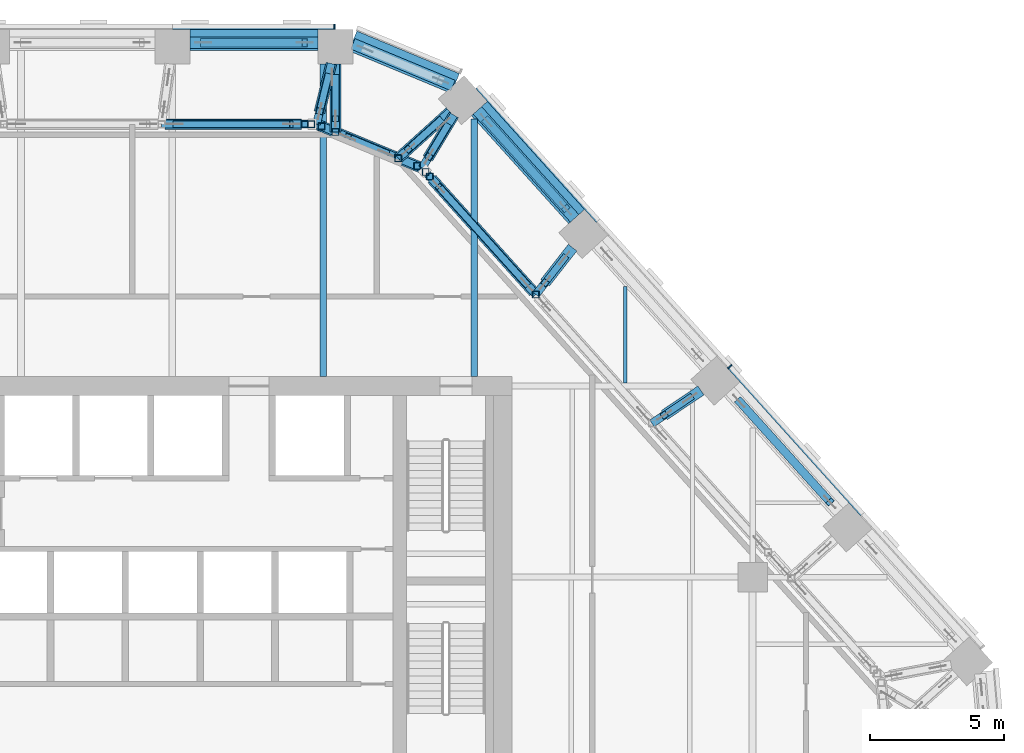
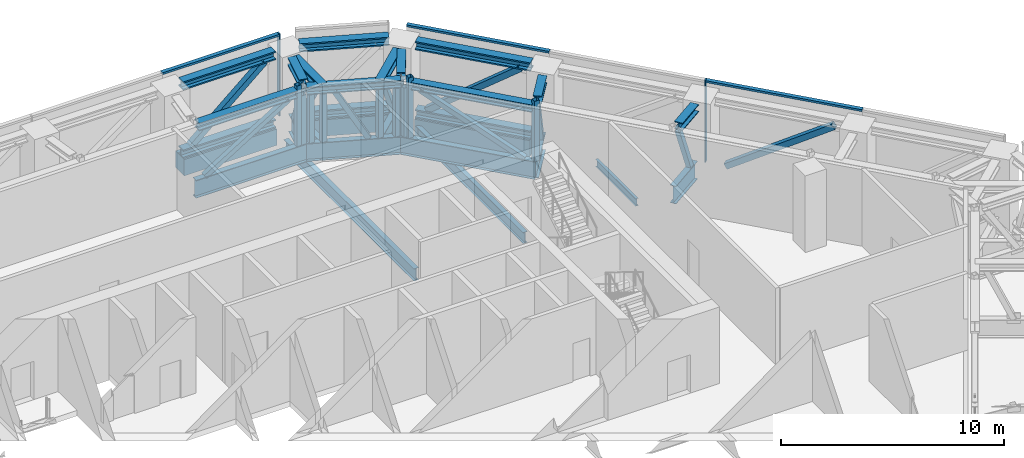
# One storey, part 13 of 26: 50 members, 6 beams, 2 elements without a shape of their own.
"""IFC4 building model written with IfcOpenShell, lengths in metres."""

from ifc_helpers import new_model, si_unit, direction, frame, origin, origin_2d, place, context, subcontext, project, spatial, rectangle, hollow_rectangle, i_section, extrude, material, layer, layer_set, material_profile, profile_set, type_object, element, aggregate, save


model = new_model("IFC4")

# Units and contexts
model_context = context("Model", 3, precision=1e-05, world=origin(), true_north=direction((0.0, 1.0)))
body_context = subcontext(model_context, "Body", "Model", "MODEL_VIEW")
ifc_project = project(units=[si_unit("LENGTHUNIT", "METRE"), si_unit("AREAUNIT", "SQUARE_METRE"), si_unit("VOLUMEUNIT", "CUBIC_METRE"), si_unit("PLANEANGLEUNIT", "RADIAN"), si_unit("MASSUNIT", "GRAM", prefix="KILO")], contexts=[model_context])

# Site, building, storey
site_placement = place(None, origin())
site = spatial("IfcSite", under=ifc_project, at=site_placement, CompositionType="ELEMENT")
building_placement = place(site_placement, origin())
building = spatial("IfcBuilding", under=site, at=building_placement, Name="Isthmus Gate Tower", CompositionType="ELEMENT")
storey_placement = place(building_placement, frame((0.0, 0.0, 207.300048828125)))
storey = spatial("IfcBuildingStorey", under=building, at=storey_placement, Name="L52", CompositionType="ELEMENT", Elevation=207.300048828125)

# Members
ifc_material_1 = material(Name="Structural steel ASTM A913 Gr 65", Category="steel")
ifc_material_profile_1 = material_profile(ifc_material_1, i_section(OverallWidth=0.42236328125, OverallDepth=0.46337890625, WebThickness=0.04443359375, FlangeThickness=0.072998046875, at=origin_2d()), Name="W14X398")
ifc_profile_set_1 = profile_set([ifc_material_profile_1], Name="Structural steel ASTM A913 Gr 65")
member_type_1 = type_object("IfcMemberType", Name="BELT TRUSS CHORD W14X398", PredefinedType="CHORD", material=ifc_profile_set_1)
for number, where, z_axis, x_axis, name in (
    (1, (9.03857421875, 27.45849609375, 0.231689453125), (0.923361088964, -0.383932675591, 0.0), (0.383932675591, 0.923361088964, 0.0), "str-belt00-L52-01"),
    (2, (9.03857421875, 27.45849609375, 3.96826171875), (0.923361088964, -0.383932675591, 0.0), (0.383932675591, 0.923361088964, 0.0), "str-belt00-L52-02"),
):
    element("IfcMember", number, at=place(storey_placement, frame(where, z_axis=z_axis, x_axis=x_axis)), inside=storey, type_object=member_type_1, Name=name, PredefinedType="CHORD", context=body_context, shape_type="SweptSolid", body=[
        extrude(i_section(OverallWidth=0.42236328125, OverallDepth=0.46337890625, WebThickness=0.04443359375, FlangeThickness=0.072998046875, at=origin_2d()), origin(), (0.0, 0.0, 1.0), 4.0634765625),
    ])
for number, where, z_axis, x_axis, name in (
    (3, (13.7001953125, 24.96826171875, 0.231689453125), (0.669118419563, -0.743155798337, 0.0), (0.743155798337, 0.669118419563, 0.0), "str-belt01-L52-01"),
    (4, (13.7001953125, 24.96826171875, 3.96826171875), (0.669118419563, -0.743155798337, 0.0), (0.743155798337, 0.669118419563, 0.0), "str-belt01-L52-02"),
):
    element("IfcMember", number, at=place(storey_placement, frame(where, z_axis=z_axis, x_axis=x_axis)), inside=storey, type_object=member_type_1, Name=name, PredefinedType="CHORD", context=body_context, shape_type="SweptSolid", body=[
        extrude(i_section(OverallWidth=0.42236328125, OverallDepth=0.46337890625, WebThickness=0.04443359375, FlangeThickness=0.072998046875, at=origin_2d()), origin(), (0.0, 0.0, 1.0), 5.44091796875),
    ])
for number, where, z_axis, x_axis, name in (
    (5, (2.9384765625, 27.5, 0.231689453125), (1.0, 0.0, 0.0), (0.0, 1.0, 0.0), "str-belt29-L52-01"),
    (6, (2.9384765625, 27.5, 3.96826171875), (1.0, 0.0, 0.0), (0.0, 1.0, 0.0), "str-belt29-L52-02"),
):
    element("IfcMember", number, at=place(storey_placement, frame(where, z_axis=z_axis, x_axis=x_axis)), inside=storey, type_object=member_type_1, Name=name, PredefinedType="CHORD", context=body_context, shape_type="SweptSolid", body=[
        extrude(i_section(OverallWidth=0.42236328125, OverallDepth=0.46337890625, WebThickness=0.04443359375, FlangeThickness=0.072998046875, at=origin_2d()), origin(), (0.0, 0.0, 1.0), 4.800048828125),
    ])

# Curtain wall, member
ifc_material_2 = material(Name="Aluminium, pale champagne anodised", Category="aluminium")
ifc_layer = layer(ifc_material_2, 0.199951171875)
ifc_layer_set = layer_set([ifc_layer], Name="CW-2 LOUVRE CURTAIN WALL 200 DEEP")
curtain_wall_type = type_object("IfcCurtainWallType", Name="CW-2 LOUVRE CURTAIN WALL 200 DEEP", PredefinedType="NOTDEFINED", material=ifc_layer_set)
curtain_wall_1_placement = place(storey_placement, origin())
curtain_wall_1 = element("IfcCurtainWall", 7, at=curtain_wall_1_placement, inside=storey, type_object=curtain_wall_type, Name="CW-2 N L52", PredefinedType="NOTDEFINED")
ifc_material_3 = material(Name="Aluminium, pale champagne anodised", Category="aluminium")
ifc_material_profile_2 = material_profile(ifc_material_3, rectangle(XDim=0.06005859375, YDim=0.199951171875, at=origin_2d()), Name="60x200")
ifc_profile_set_2 = profile_set([ifc_material_profile_2], Name="Aluminium, pale champagne anodised")
member_type_2 = type_object("IfcMemberType", Name="CW-2 MULLION 60 X 200", PredefinedType="MULLION", material=ifc_profile_set_2)
member_1_placement = place(storey_placement, frame((8.358642578125, 28.10009765625, 0.0), z_axis=(0.0, 0.0, 1.0), x_axis=(-1.0, 0.0, 0.0)))
member_1 = element("IfcMember", 8, at=member_1_placement, type_object=member_type_2, Name="CW-2 mullion", PredefinedType="MULLION", context=body_context, shape_type="SweptSolid", body=[
    extrude(rectangle(XDim=0.06005859375, YDim=0.199951171875, at=origin_2d()), origin(), (0.0, 0.0, 1.0), 4.5),
])

curtain_wall_2_placement = place(storey_placement, origin())
curtain_wall_2 = element("IfcCurtainWall", 9, at=curtain_wall_2_placement, inside=storey, type_object=curtain_wall_type, Name="CW-2 NE L52", PredefinedType="NOTDEFINED")
member_2_placement = place(storey_placement, frame((23.14697265625, 15.373046875, 0.0), z_axis=(0.0, 0.0, 1.0), x_axis=(-0.669130606359, 0.743144825477, 0.0)))
member_2 = element("IfcMember", 10, at=member_2_placement, type_object=member_type_2, Name="CW-2 mullion", PredefinedType="MULLION", context=body_context, shape_type="SweptSolid", body=[
    extrude(rectangle(XDim=0.06005859375, YDim=0.199951171875, at=origin_2d()), origin(), (0.0, 0.0, 1.0), 4.5),
])

# Member
ifc_material_4 = material(Name="Aluminium, pale champagne anodised", Category="aluminium")
ifc_material_profile_3 = material_profile(ifc_material_4, rectangle(XDim=0.199951171875, YDim=0.110107421875, at=origin_2d()), Name="200x110")
ifc_profile_set_3 = profile_set([ifc_material_profile_3], Name="Aluminium, pale champagne anodised")
member_type_3 = type_object("IfcMemberType", Name="CW-2 TRANSOM 200 X 110", PredefinedType="USERDEFINED", material=ifc_profile_set_3)
member_3_placement = place(storey_placement, frame((8.32861328125, 28.10009765625, 4.445068359375), z_axis=(-1.0, 0.0, 0.0), x_axis=(0.0, -1.0, 0.0)))
member_3 = element("IfcMember", 11, at=member_3_placement, type_object=member_type_3, Name="CW-2 transom", ObjectType="TRANSOM", PredefinedType="USERDEFINED", context=body_context, shape_type="SweptSolid", body=[
    extrude(rectangle(XDim=0.199951171875, YDim=0.110107421875, at=origin_2d()), origin(), (0.0, 0.0, 1.0), 6.040283203125),
])

aggregate(curtain_wall_1, [member_1, member_3])

member_4_placement = place(storey_placement, frame((28.1123046875, 9.8583984375, 4.445068359375), z_axis=(-0.669123495435, 0.74315122812, 0.0), x_axis=(-0.74315122812, -0.669123495435, 0.0)))
member_4 = element("IfcMember", 12, at=member_4_placement, type_object=member_type_3, Name="CW-2 transom", ObjectType="TRANSOM", PredefinedType="USERDEFINED", context=body_context, shape_type="SweptSolid", body=[
    extrude(rectangle(XDim=0.199951171875, YDim=0.110107421875, at=origin_2d()), origin(), (0.0, 0.0, 1.0), 7.390625),
])

member_5_placement = place(storey_placement, frame((18.221435546875, 20.84326171875, 4.445068359375), z_axis=(-0.669102791064, 0.743169869538, 0.0), x_axis=(-0.743169869538, -0.669102791064, 0.0)))
member_5 = element("IfcMember", 13, at=member_5_placement, type_object=member_type_3, Name="CW-2 transom", ObjectType="TRANSOM", PredefinedType="USERDEFINED", context=body_context, shape_type="SweptSolid", body=[
    extrude(rectangle(XDim=0.199951171875, YDim=0.110107421875, at=origin_2d()), origin(), (0.0, 0.0, 1.0), 6.74072265625),
])

aggregate(curtain_wall_2, [member_4, member_2, member_5])

# Beams
ifc_material_5 = material(Name="Concrete f'c 60 MPa", Category="concrete")
ifc_material_profile_4 = material_profile(ifc_material_5, rectangle(XDim=0.800048828125, YDim=0.89990234375, at=origin_2d()), Name="RC 800X900")
ifc_profile_set_4 = profile_set([ifc_material_profile_4], Name="Concrete f'c 60 MPa")
beam_type_1 = type_object("IfcBeamType", Name="RC SPANDREL 800 X 900", PredefinedType="SPANDREL", material=ifc_profile_set_4)
beam_1_placement = place(storey_placement, frame((9.03857421875, 27.56689453125, -0.449951171875), z_axis=(0.923342835736, -0.383976571805, 0.0), x_axis=(0.383976571805, 0.923342835736, 0.0)))
element("IfcBeam", 14, at=beam_1_placement, inside=storey, type_object=beam_type_1, Name="str-spandrel-L52-00", PredefinedType="SPANDREL", context=body_context, shape_type="SweptSolid", body=[
    extrude(rectangle(XDim=0.800048828125, YDim=0.89990234375, at=origin_2d()), origin(), (0.0, 0.0, 1.0), 4.152587890625),
])
beam_2_placement = place(storey_placement, frame((13.7744140625, 25.03515625, -0.449951171875), z_axis=(0.669118419563, -0.743155798337, 0.0), x_axis=(0.743155798337, 0.669118419563, 0.0)))
element("IfcBeam", 15, at=beam_2_placement, inside=storey, type_object=beam_type_1, Name="str-spandrel-L52-01", PredefinedType="SPANDREL", context=body_context, shape_type="SweptSolid", body=[
    extrude(rectangle(XDim=0.800048828125, YDim=0.89990234375, at=origin_2d()), origin(), (0.0, 0.0, 1.0), 5.44091796875),
])
beam_3_placement = place(storey_placement, frame((2.9384765625, 27.60009765625, -0.449951171875), z_axis=(1.0, 0.0, 0.0), x_axis=(0.0, 1.0, 0.0)))
element("IfcBeam", 16, at=beam_3_placement, inside=storey, type_object=beam_type_1, Name="str-spandrel-L52-29", PredefinedType="SPANDREL", context=body_context, shape_type="SweptSolid", body=[
    extrude(rectangle(XDim=0.800048828125, YDim=0.89990234375, at=origin_2d()), origin(), (0.0, 0.0, 1.0), 4.800048828125),
])
ifc_material_6 = material(Name="Structural steel ASTM A992 Gr 50", Category="steel")
ifc_material_profile_5 = material_profile(ifc_material_6, i_section(OverallWidth=0.1396484375, OverallDepth=0.4033203125, WebThickness=0.00634765625, FlangeThickness=0.010986328125, at=origin_2d()), Name="W16X31")
ifc_profile_set_5 = profile_set([ifc_material_profile_5], Name="Structural steel ASTM A992 Gr 50")
beam_type_2 = type_object("IfcBeamType", Name="STEEL FLOOR BEAM W16X31", PredefinedType="JOIST", material=ifc_profile_set_5)
beam_4_placement = place(storey_placement, frame((19.23681640625, 14.764404296875, -0.501708984375), z_axis=(0.0, 1.0, 0.0), x_axis=(-1.0, 0.0, 0.0)))
element("IfcBeam", 17, at=beam_4_placement, inside=storey, type_object=beam_type_2, Name="str-beam-L52-05-07", PredefinedType="JOIST", context=body_context, shape_type="SweptSolid", body=[
    extrude(i_section(OverallWidth=0.1396484375, OverallDepth=0.4033203125, WebThickness=0.00634765625, FlangeThickness=0.010986328125, at=origin_2d()), origin(), (0.0, 0.0, 1.0), 3.6064453125),
])
ifc_material_7 = material(Name="Structural steel ASTM A992 Gr 50", Category="steel")
ifc_material_profile_6 = material_profile(ifc_material_7, i_section(OverallWidth=0.228515625, OverallDepth=0.603271484375, WebThickness=0.010986328125, FlangeThickness=0.014404296875, at=origin_2d()), Name="W24X68")
ifc_profile_set_6 = profile_set([ifc_material_profile_6], Name="Structural steel ASTM A992 Gr 50")
beam_type_3 = type_object("IfcBeamType", Name="STEEL FLOOR BEAM W24X68", PredefinedType="JOIST", material=ifc_profile_set_6)
beam_5_placement = place(storey_placement, frame((13.583984375, 15.0, -0.6015625), z_axis=(0.0, 1.0, 0.0), x_axis=(-1.0, 0.0, 0.0)))
element("IfcBeam", 18, at=beam_5_placement, inside=storey, type_object=beam_type_3, Name="str-beam-L52-05-06", PredefinedType="JOIST", context=body_context, shape_type="SweptSolid", body=[
    extrude(i_section(OverallWidth=0.228515625, OverallDepth=0.603271484375, WebThickness=0.010986328125, FlangeThickness=0.014404296875, at=origin_2d()), origin(), (0.0, 0.0, 1.0), 9.648681640625),
])
ifc_material_8 = material(Name="Structural steel ASTM A992 Gr 50", Category="steel")
ifc_material_profile_7 = material_profile(ifc_material_8, i_section(OverallWidth=0.25390625, OverallDepth=0.679443359375, WebThickness=0.010986328125, FlangeThickness=0.015869140625, at=origin_2d()), Name="W27X84")
ifc_profile_set_7 = profile_set([ifc_material_profile_7], Name="Structural steel ASTM A992 Gr 50")
beam_type_4 = type_object("IfcBeamType", Name="STEEL FLOOR BEAM W27X84", PredefinedType="JOIST", material=ifc_profile_set_7)
beam_6_placement = place(storey_placement, frame((7.93115234375, 15.0, -0.6396484375), z_axis=(0.0, 1.0, 0.0), x_axis=(-1.0, 0.0, 0.0)))
element("IfcBeam", 19, at=beam_6_placement, inside=storey, type_object=beam_type_4, Name="str-beam-L52-05-05", PredefinedType="JOIST", context=body_context, shape_type="SweptSolid", body=[
    extrude(i_section(OverallWidth=0.25390625, OverallDepth=0.679443359375, WebThickness=0.010986328125, FlangeThickness=0.015869140625, at=origin_2d()), origin(), (0.0, 0.0, 1.0), 11.699951171875),
])

# Members
ifc_material_9 = material(Name="Structural steel ASTM A913 Gr 65", Category="steel")
ifc_material_profile_8 = material_profile(ifc_material_9, i_section(OverallWidth=0.406494140625, OverallDepth=0.416015625, WebThickness=0.0302734375, FlangeThickness=0.047607421875, at=origin_2d()), Name="W14X257")
ifc_profile_set_8 = profile_set([ifc_material_profile_8], Name="Structural steel ASTM A913 Gr 65")
member_type_4 = type_object("IfcMemberType", Name="TRANSFER TRUSS CHORD W14X257", PredefinedType="CHORD", material=ifc_profile_set_8)
member_6_placement = place(storey_placement, frame((7.681396484375, 24.449951171875, 3.89208984375), z_axis=(0.923353785073, -0.383950241035, 0.0), x_axis=(0.383950241035, 0.923353785073, 0.0)))
element("IfcMember", 20, at=member_6_placement, inside=storey, type_object=member_type_4, Name="str-ring00-L52-06", PredefinedType="CHORD", context=body_context, shape_type="SweptSolid", body=[
    extrude(i_section(OverallWidth=0.406494140625, OverallDepth=0.416015625, WebThickness=0.0302734375, FlangeThickness=0.047607421875, at=origin_2d()), origin(), (0.0, 0.0, 1.0), 4.27490234375),
])
member_7_placement = place(storey_placement, frame((11.99853515625, 22.397705078125, 3.89208984375), z_axis=(0.669140191574, -0.743136194799, 0.0), x_axis=(0.743136194799, 0.669140191574, 0.0)))
element("IfcMember", 21, at=member_7_placement, inside=storey, type_object=member_type_4, Name="str-ring01-L52-14", PredefinedType="CHORD", context=body_context, shape_type="SweptSolid", body=[
    extrude(i_section(OverallWidth=0.406494140625, OverallDepth=0.416015625, WebThickness=0.0302734375, FlangeThickness=0.047607421875, at=origin_2d()), origin(), (0.0, 0.0, 1.0), 5.688232421875),
])
member_8_placement = place(storey_placement, frame((2.0078125, 24.449951171875, 3.89208984375), z_axis=(1.0, 0.0, 0.0), x_axis=(0.0, 1.0, 0.0)))
element("IfcMember", 22, at=member_8_placement, inside=storey, type_object=member_type_4, Name="str-ring11-L52-17", PredefinedType="CHORD", context=body_context, shape_type="SweptSolid", body=[
    extrude(i_section(OverallWidth=0.406494140625, OverallDepth=0.416015625, WebThickness=0.0302734375, FlangeThickness=0.047607421875, at=origin_2d()), origin(), (0.0, 0.0, 1.0), 5.10595703125),
])
member_9_placement = place(storey_placement, frame((8.388671875, 26.699951171875, 3.89208984375), z_axis=(0.0, -1.0, 0.0), x_axis=(1.0, 0.0, 0.0)))
element("IfcMember", 23, at=member_9_placement, inside=storey, type_object=member_type_4, Name="str-link00-L52-02", PredefinedType="CHORD", context=body_context, shape_type="SweptSolid", body=[
    extrude(i_section(OverallWidth=0.406494140625, OverallDepth=0.416015625, WebThickness=0.0302734375, FlangeThickness=0.047607421875, at=origin_2d()), origin(), (0.0, 0.0, 1.0), 2.5439453125),
])
member_10_placement = place(storey_placement, frame((22.070068359375, 14.486328125, 3.89208984375), z_axis=(-0.82993664204, -0.557857661236, 0.0), x_axis=(0.557857661236, -0.82993664204, 0.0)))
element("IfcMember", 24, at=member_10_placement, inside=storey, type_object=member_type_4, Name="str-link27-L52-02", PredefinedType="CHORD", context=body_context, shape_type="SweptSolid", body=[
    extrude(i_section(OverallWidth=0.406494140625, OverallDepth=0.416015625, WebThickness=0.0302734375, FlangeThickness=0.047607421875, at=origin_2d()), origin(), (0.0, 0.0, 1.0), 1.6572265625),
])
member_11_placement = place(storey_placement, frame((17.26318359375, 19.829833984375, 3.89208984375), z_axis=(-0.616671039937, -0.787220952785, 0.0), x_axis=(0.787220952785, -0.616671039937, 0.0)))
element("IfcMember", 25, at=member_11_placement, inside=storey, type_object=member_type_4, Name="str-link28-L52-02", PredefinedType="CHORD", context=body_context, shape_type="SweptSolid", body=[
    extrude(i_section(OverallWidth=0.406494140625, OverallDepth=0.416015625, WebThickness=0.0302734375, FlangeThickness=0.047607421875, at=origin_2d()), origin(), (0.0, 0.0, 1.0), 1.669189453125),
])
member_12_placement = place(storey_placement, frame((12.670654296875, 24.916015625, 3.89208984375), z_axis=(-0.743125866177, -0.669151662195, 0.0), x_axis=(0.669151662195, -0.743125866177, 0.0)))
element("IfcMember", 26, at=member_12_placement, inside=storey, type_object=member_type_4, Name="str-link29-L52-02", PredefinedType="CHORD", context=body_context, shape_type="SweptSolid", body=[
    extrude(i_section(OverallWidth=0.406494140625, OverallDepth=0.416015625, WebThickness=0.0302734375, FlangeThickness=0.047607421875, at=origin_2d()), origin(), (0.0, 0.0, 1.0), 2.597412109375),
])
member_13_placement = place(storey_placement, frame((8.234619140625, 26.718505859375, 3.89208984375), z_axis=(-0.237007227487, -0.971507886802, 0.0), x_axis=(0.971507886802, -0.237007227487, 0.0)))
element("IfcMember", 27, at=member_13_placement, inside=storey, type_object=member_type_4, Name="str-link30-L52-02", PredefinedType="CHORD", context=body_context, shape_type="SweptSolid", body=[
    extrude(i_section(OverallWidth=0.406494140625, OverallDepth=0.416015625, WebThickness=0.0302734375, FlangeThickness=0.047607421875, at=origin_2d()), origin(), (0.0, 0.0, 1.0), 1.87158203125),
])
member_14_placement = place(storey_placement, frame((12.8193359375, 24.79345703125, 3.89208984375), z_axis=(-0.514419818682, -0.857538483188, 0.0), x_axis=(0.857538483188, -0.514419818682, 0.0)))
element("IfcMember", 28, at=member_14_placement, inside=storey, type_object=member_type_4, Name="str-link31-L52-02", PredefinedType="CHORD", context=body_context, shape_type="SweptSolid", body=[
    extrude(i_section(OverallWidth=0.406494140625, OverallDepth=0.416015625, WebThickness=0.0302734375, FlangeThickness=0.047607421875, at=origin_2d()), origin(), (0.0, 0.0, 1.0), 1.891357421875),
])
ifc_material_10 = material(Name="Structural steel ASTM A913 Gr 65", Category="steel")
ifc_material_profile_9 = material_profile(ifc_material_10, i_section(OverallWidth=0.29833984375, OverallDepth=0.981201171875, WebThickness=0.015869140625, FlangeThickness=0.025390625, at=origin_2d()), Name="W40X167")
ifc_profile_set_9 = profile_set([ifc_material_profile_9], Name="Structural steel ASTM A913 Gr 65")
member_type_5 = type_object("IfcMemberType", Name="TRANSFER TRUSS CHORD W40X167", PredefinedType="CHORD", material=ifc_profile_set_9)
member_15_placement = place(storey_placement, frame((7.681396484375, 24.449951171875, 0.490478515625), z_axis=(0.923353785073, -0.383950241035, 0.0), x_axis=(0.383950241035, 0.923353785073, 0.0)))
element("IfcMember", 29, at=member_15_placement, inside=storey, type_object=member_type_5, Name="str-ring00-L52-05", PredefinedType="CHORD", context=body_context, shape_type="SweptSolid", body=[
    extrude(i_section(OverallWidth=0.29833984375, OverallDepth=0.981201171875, WebThickness=0.015869140625, FlangeThickness=0.025390625, at=origin_2d()), origin(), (0.0, 0.0, 1.0), 4.27490234375),
])
member_16_placement = place(storey_placement, frame((11.628662109375, 22.80859375, 0.490478515625), z_axis=(0.669121459698, -0.743153061066, 0.0), x_axis=(0.743153061066, 0.669121459698, 0.0)))
element("IfcMember", 30, at=member_16_placement, inside=storey, type_object=member_type_5, Name="str-ring01-L52-09", PredefinedType="CHORD", context=body_context, shape_type="SweptSolid", body=[
    extrude(i_section(OverallWidth=0.29833984375, OverallDepth=0.981201171875, WebThickness=0.015869140625, FlangeThickness=0.025390625, at=origin_2d()), origin(), (0.0, 0.0, 1.0), 6.367919921875),
])
member_17_placement = place(storey_placement, frame((1.880859375, 24.449951171875, 0.490478515625), z_axis=(1.0, 0.0, 0.0), x_axis=(0.0, 1.0, 0.0)))
element("IfcMember", 31, at=member_17_placement, inside=storey, type_object=member_type_5, Name="str-ring11-L52-12", PredefinedType="CHORD", context=body_context, shape_type="SweptSolid", body=[
    extrude(i_section(OverallWidth=0.29833984375, OverallDepth=0.981201171875, WebThickness=0.015869140625, FlangeThickness=0.025390625, at=origin_2d()), origin(), (0.0, 0.0, 1.0), 5.800537109375),
])
member_18_placement = place(storey_placement, frame((8.388671875, 26.699951171875, 0.490478515625), z_axis=(0.0, -1.0, 0.0), x_axis=(1.0, 0.0, 0.0)))
element("IfcMember", 32, at=member_18_placement, inside=storey, type_object=member_type_5, Name="str-link00-L52-01", PredefinedType="CHORD", context=body_context, shape_type="SweptSolid", body=[
    extrude(i_section(OverallWidth=0.29833984375, OverallDepth=0.981201171875, WebThickness=0.015869140625, FlangeThickness=0.025390625, at=origin_2d()), origin(), (0.0, 0.0, 1.0), 2.5439453125),
])
member_19_placement = place(storey_placement, frame((22.070068359375, 14.486328125, 0.490478515625), z_axis=(-0.82997378438, -0.557802399817, 0.0), x_axis=(0.557802399817, -0.82997378438, 0.0)))
element("IfcMember", 33, at=member_19_placement, inside=storey, type_object=member_type_5, Name="str-link27-L52-01", PredefinedType="CHORD", context=body_context, shape_type="SweptSolid", body=[
    extrude(i_section(OverallWidth=0.29833984375, OverallDepth=0.981201171875, WebThickness=0.015869140625, FlangeThickness=0.025390625, at=origin_2d()), origin(), (0.0, 0.0, 1.0), 2.212890625),
])
member_20_placement = place(storey_placement, frame((17.26318359375, 19.829833984375, 0.490478515625), z_axis=(-0.616668768112, -0.787222732418, 0.0), x_axis=(0.787222732418, -0.616668768112, 0.0)))
element("IfcMember", 34, at=member_20_placement, inside=storey, type_object=member_type_5, Name="str-link28-L52-01", PredefinedType="CHORD", context=body_context, shape_type="SweptSolid", body=[
    extrude(i_section(OverallWidth=0.29833984375, OverallDepth=0.981201171875, WebThickness=0.015869140625, FlangeThickness=0.025390625, at=origin_2d()), origin(), (0.0, 0.0, 1.0), 2.227294921875),
])
member_21_placement = place(storey_placement, frame((12.670654296875, 24.916015625, 0.490478515625), z_axis=(-0.743125866177, -0.669151662195, 0.0), x_axis=(0.669151662195, -0.743125866177, 0.0)))
element("IfcMember", 35, at=member_21_placement, inside=storey, type_object=member_type_5, Name="str-link29-L52-01", PredefinedType="CHORD", context=body_context, shape_type="SweptSolid", body=[
    extrude(i_section(OverallWidth=0.29833984375, OverallDepth=0.981201171875, WebThickness=0.015869140625, FlangeThickness=0.025390625, at=origin_2d()), origin(), (0.0, 0.0, 1.0), 2.597412109375),
])
member_22_placement = place(storey_placement, frame((8.234619140625, 26.718505859375, 0.490478515625), z_axis=(-0.236922482808, -0.971528557038, 0.0), x_axis=(0.971528557038, -0.236922482808, 0.0)))
element("IfcMember", 36, at=member_22_placement, inside=storey, type_object=member_type_5, Name="str-link30-L52-01", PredefinedType="CHORD", context=body_context, shape_type="SweptSolid", body=[
    extrude(i_section(OverallWidth=0.29833984375, OverallDepth=0.981201171875, WebThickness=0.015869140625, FlangeThickness=0.025390625, at=origin_2d()), origin(), (0.0, 0.0, 1.0), 2.3349609375),
])
member_23_placement = place(storey_placement, frame((12.8193359375, 24.79345703125, 0.490478515625), z_axis=(-0.51441819567, -0.857539456797, 0.0), x_axis=(0.857539456797, -0.51441819567, 0.0)))
element("IfcMember", 37, at=member_23_placement, inside=storey, type_object=member_type_5, Name="str-link31-L52-01", PredefinedType="CHORD", context=body_context, shape_type="SweptSolid", body=[
    extrude(i_section(OverallWidth=0.29833984375, OverallDepth=0.981201171875, WebThickness=0.015869140625, FlangeThickness=0.025390625, at=origin_2d()), origin(), (0.0, 0.0, 1.0), 2.314697265625),
])
ifc_material_11 = material(Name="Structural steel ASTM A500 Gr C", Category="steel")
ifc_material_profile_10 = material_profile(ifc_material_11, hollow_rectangle(XDim=0.25390625, YDim=0.25390625, WallThickness=0.01171875, at=origin_2d()), Name="HSS10X10X1/2")
ifc_profile_set_10 = profile_set([ifc_material_profile_10], Name="Structural steel ASTM A500 Gr C")
member_type_6 = type_object("IfcMemberType", Name="TRANSFER TRUSS DIAGONAL HSS10X10X1/2", PredefinedType="BRACE", material=ifc_profile_set_10)
member_24_placement = place(storey_placement, frame((10.27880859375, 23.369873046875, 0.98095703125), z_axis=(-0.458647581197, 0.190717751675, 0.86791078773), x_axis=(-0.383954160599, -0.923352155225, 0.0)))
element("IfcMember", 38, at=member_24_placement, inside=storey, type_object=member_type_6, Name="str-ring00-L52-07", PredefinedType="BRACE", context=body_context, shape_type="SweptSolid", body=[
    extrude(hollow_rectangle(XDim=0.25390625, YDim=0.25390625, WallThickness=0.01171875, at=origin_2d()), origin(), (0.0, 0.0, 1.0), 3.114501953125),
])
member_25_placement = place(storey_placement, frame((15.55517578125, 18.44775390625, 0.98095703125), z_axis=(-0.587058218496, 0.651983520179, 0.479875126998), x_axis=(-0.743139372923, -0.669136661985, 0.0)))
element("IfcMember", 39, at=member_25_placement, inside=storey, type_object=member_type_6, Name="str-ring01-L52-19", PredefinedType="BRACE", context=body_context, shape_type="SweptSolid", body=[
    extrude(hollow_rectangle(XDim=0.25390625, YDim=0.25390625, WallThickness=0.01171875, at=origin_2d()), origin(), (0.0, 0.0, 1.0), 5.633056640625),
])
member_26_placement = place(storey_placement, frame((2.380859375, 24.449951171875, 0.98095703125), z_axis=(0.849901839149, 0.0, 0.526941043961), x_axis=(0.0, 1.0, 0.0)))
element("IfcMember", 40, at=member_26_placement, inside=storey, type_object=member_type_6, Name="str-ring11-L52-23", PredefinedType="BRACE", context=body_context, shape_type="SweptSolid", body=[
    extrude(hollow_rectangle(XDim=0.25390625, YDim=0.25390625, WallThickness=0.01171875, at=origin_2d()), origin(), (0.0, 0.0, 1.0), 5.1298828125),
])
member_27_placement = place(storey_placement, frame((8.388671875, 26.199951171875, 0.98095703125), z_axis=(0.0, -0.495970010071, 0.868339650776), x_axis=(1.0, 0.0, 0.0)))
element("IfcMember", 41, at=member_27_placement, inside=storey, type_object=member_type_6, Name="str-link00-L52-03", PredefinedType="BRACE", context=body_context, shape_type="SweptSolid", body=[
    extrude(hollow_rectangle(XDim=0.25390625, YDim=0.25390625, WallThickness=0.01171875, at=origin_2d()), origin(), (0.0, 0.0, 1.0), 3.113037109375),
])
member_28_placement = place(storey_placement, frame((21.655029296875, 14.20751953125, 0.98095703125), z_axis=(-0.326631583471, -0.219608677753, 0.91928441591), x_axis=(0.557957515423, -0.829869514432, 0.0)))
element("IfcMember", 42, at=member_28_placement, inside=storey, type_object=member_type_6, Name="str-link27-L52-03", PredefinedType="BRACE", context=body_context, shape_type="SweptSolid", body=[
    extrude(hollow_rectangle(XDim=0.25390625, YDim=0.25390625, WallThickness=0.01171875, at=origin_2d()), origin(), (0.0, 0.0, 1.0), 2.9404296875),
])
member_29_placement = place(storey_placement, frame((16.954833984375, 19.436279296875, 0.98095703125), z_axis=(-0.244792823896, -0.312519114829, 0.917828021056), x_axis=(0.787244948499, -0.616640406609, 0.0)))
element("IfcMember", 43, at=member_29_placement, inside=storey, type_object=member_type_6, Name="str-link28-L52-03", PredefinedType="BRACE", context=body_context, shape_type="SweptSolid", body=[
    extrude(hollow_rectangle(XDim=0.25390625, YDim=0.25390625, WallThickness=0.01171875, at=origin_2d()), origin(), (0.0, 0.0, 1.0), 2.945068359375),
])
member_30_placement = place(storey_placement, frame((12.299072265625, 24.581298828125, 0.98095703125), z_axis=(-0.378053810043, -0.340419494111, 0.860923855368), x_axis=(0.669150487814, -0.743126923653, 0.0)))
element("IfcMember", 44, at=member_30_placement, inside=storey, type_object=member_type_6, Name="str-link29-L52-03", PredefinedType="BRACE", context=body_context, shape_type="SweptSolid", body=[
    extrude(hollow_rectangle(XDim=0.25390625, YDim=0.25390625, WallThickness=0.01171875, at=origin_2d()), origin(), (0.0, 0.0, 1.0), 3.139892578125),
])
member_31_placement = place(storey_placement, frame((8.115966796875, 26.232666015625, 0.98095703125), z_axis=(-0.104871690074, -0.430176384302, 0.896632704629), x_axis=(0.971546006363, -0.236850918343, 0.0)))
element("IfcMember", 45, at=member_31_placement, inside=storey, type_object=member_type_6, Name="str-link30-L52-03", PredefinedType="BRACE", context=body_context, shape_type="SweptSolid", body=[
    extrude(hollow_rectangle(XDim=0.25390625, YDim=0.25390625, WallThickness=0.01171875, at=origin_2d()), origin(), (0.0, 0.0, 1.0), 3.0146484375),
])
member_32_placement = place(storey_placement, frame((12.56201171875, 24.36474609375, 0.98095703125), z_axis=(-0.22498177875, -0.375077925729, 0.899277348131), x_axis=(0.857558459615, -0.514386516486, 0.0)))
element("IfcMember", 46, at=member_32_placement, inside=storey, type_object=member_type_6, Name="str-link31-L52-03", PredefinedType="BRACE", context=body_context, shape_type="SweptSolid", body=[
    extrude(hollow_rectangle(XDim=0.25390625, YDim=0.25390625, WallThickness=0.01171875, at=origin_2d()), origin(), (0.0, 0.0, 1.0), 3.005859375),
])
ifc_material_12 = material(Name="Structural steel ASTM A500 Gr C", Category="steel")
ifc_material_profile_11 = material_profile(ifc_material_12, hollow_rectangle(XDim=0.25390625, YDim=0.25390625, WallThickness=0.01171875, at=origin_2d()), Name="HSS10X10X1/2")
ifc_profile_set_11 = profile_set([ifc_material_profile_11], Name="Structural steel ASTM A500 Gr C")
member_type_7 = type_object("IfcMemberType", Name="TRANSFER TRUSS POST HSS10X10X1/2", PredefinedType="POST", material=ifc_profile_set_11)
for number, where, z_axis, x_axis, name in (
    (47, (7.865966796875, 24.373291015625, 0.98095703125), (0.0, 0.0, 1.0), (1.0, 0.0, 0.0), "str-ring00-L52-01"),
    (48, (8.388671875, 24.156005859375, 0.98095703125), (0.0, 0.0, 1.0), (1.0, 0.0, 0.0), "str-ring00-L52-02"),
    (49, (10.740478515625, 23.177978515625, 0.98095703125), (0.0, 0.0, 1.0), (1.0, 0.0, 0.0), "str-ring00-L52-03"),
    (50, (11.44384765625, 22.885498046875, 0.98095703125), (0.0, 0.0, 1.0), (1.0, 0.0, 0.0), "str-ring00-L52-04"),
    (51, (11.762451171875, 22.659912109375, 0.98095703125), (0.0, 0.0, 1.0), (1.0, 0.0, 0.0), "str-ring01-L52-01"),
):
    element("IfcMember", number, at=place(storey_placement, frame(where, z_axis=z_axis, x_axis=x_axis)), inside=storey, type_object=member_type_7, Name=name, PredefinedType="POST", context=body_context, shape_type="SweptSolid", body=[
        extrude(hollow_rectangle(XDim=0.25390625, YDim=0.25390625, WallThickness=0.01171875, at=origin_2d()), origin(), (0.0, 0.0, 1.0), 2.703125),
    ])
for number, where, z_axis, x_axis, name in (
    (52, (11.91357421875, 22.491943359375, 0.98095703125), (0.0, 0.0, 1.0), (1.0, 0.0, 0.0), "str-ring01-L52-02"),
    (53, (15.8896484375, 18.076171875, 0.98095703125), (0.0, 0.0, 1.0), (1.0, 0.0, 0.0), "str-ring01-L52-03"),
    (54, (7.24072265625, 24.449951171875, 0.98095703125), (0.0, 0.0, 1.0), (1.0, 0.0, 0.0), "str-ring11-L52-07"),
):
    element("IfcMember", number, at=place(storey_placement, frame(where, z_axis=z_axis, x_axis=x_axis)), inside=storey, type_object=member_type_7, Name=name, PredefinedType="POST", context=body_context, shape_type="SweptSolid", body=[
        extrude(hollow_rectangle(XDim=0.25390625, YDim=0.25390625, WallThickness=0.01171875, at=origin_2d()), origin(), (0.0, 0.0, 1.0), 3.319091796875),
    ])
member_33_placement = place(storey_placement, frame((7.480712890625, 24.449951171875, 0.98095703125), z_axis=(0.0, 0.0, 1.0), x_axis=(1.0, 0.0, 0.0)))
element("IfcMember", 55, at=member_33_placement, inside=storey, type_object=member_type_7, Name="str-ring11-L52-08", PredefinedType="POST", context=body_context, shape_type="SweptSolid", body=[
    extrude(hollow_rectangle(XDim=0.25390625, YDim=0.25390625, WallThickness=0.01171875, at=origin_2d()), origin(), (0.0, 0.0, 1.0), 2.703125),
])
ifc_material_13 = material(Name="Structural steel ASTM A500 Gr C", Category="steel")
ifc_material_profile_12 = material_profile(ifc_material_13, hollow_rectangle(XDim=0.3046875, YDim=0.3046875, WallThickness=0.014892578125, at=origin_2d()), Name="HSS12X12X5/8")
ifc_profile_set_12 = profile_set([ifc_material_profile_12], Name="Structural steel ASTM A500 Gr C")
member_type_8 = type_object("IfcMemberType", Name="TRUSS DIAGONAL HSS12X12X5/8", PredefinedType="BRACE", material=ifc_profile_set_12)
member_34_placement = place(storey_placement, frame((14.03466796875, 24.5966796875, 0.46337890625), z_axis=(0.538615114803, -0.598225217476, 0.593313026388), x_axis=(0.74316291898, 0.669110510942, 0.0)))
element("IfcMember", 56, at=member_34_placement, inside=storey, type_object=member_type_8, Name="str-belt01-L52-03", PredefinedType="BRACE", context=body_context, shape_type="SweptSolid", body=[
    extrude(hollow_rectangle(XDim=0.3046875, YDim=0.3046875, WallThickness=0.014892578125, at=origin_2d()), origin(), (0.0, 0.0, 1.0), 5.516845703125),
])
member_35_placement = place(storey_placement, frame((23.490478515625, 14.0947265625, 0.46337890625), z_axis=(0.562840699152, -0.625082740204, 0.540815971729), x_axis=(0.743136742975, 0.669139582778, 0.0)))
element("IfcMember", 57, at=member_35_placement, inside=storey, type_object=member_type_8, Name="str-belt03-L52-03", PredefinedType="BRACE", context=body_context, shape_type="SweptSolid", body=[
    extrude(hollow_rectangle(XDim=0.3046875, YDim=0.3046875, WallThickness=0.014892578125, at=origin_2d()), origin(), (0.0, 0.0, 1.0), 6.05224609375),
])
member_36_placement = place(storey_placement, frame((3.4384765625, 27.5, 0.46337890625), z_axis=(0.757677196929, 0.0, 0.652629500753), x_axis=(0.0, 1.0, 0.0)))
element("IfcMember", 58, at=member_36_placement, inside=storey, type_object=member_type_8, Name="str-belt29-L52-03", PredefinedType="BRACE", context=body_context, shape_type="SweptSolid", body=[
    extrude(hollow_rectangle(XDim=0.3046875, YDim=0.3046875, WallThickness=0.014892578125, at=origin_2d()), origin(), (0.0, 0.0, 1.0), 5.015380859375),
])

save(model, "model.ifc")
